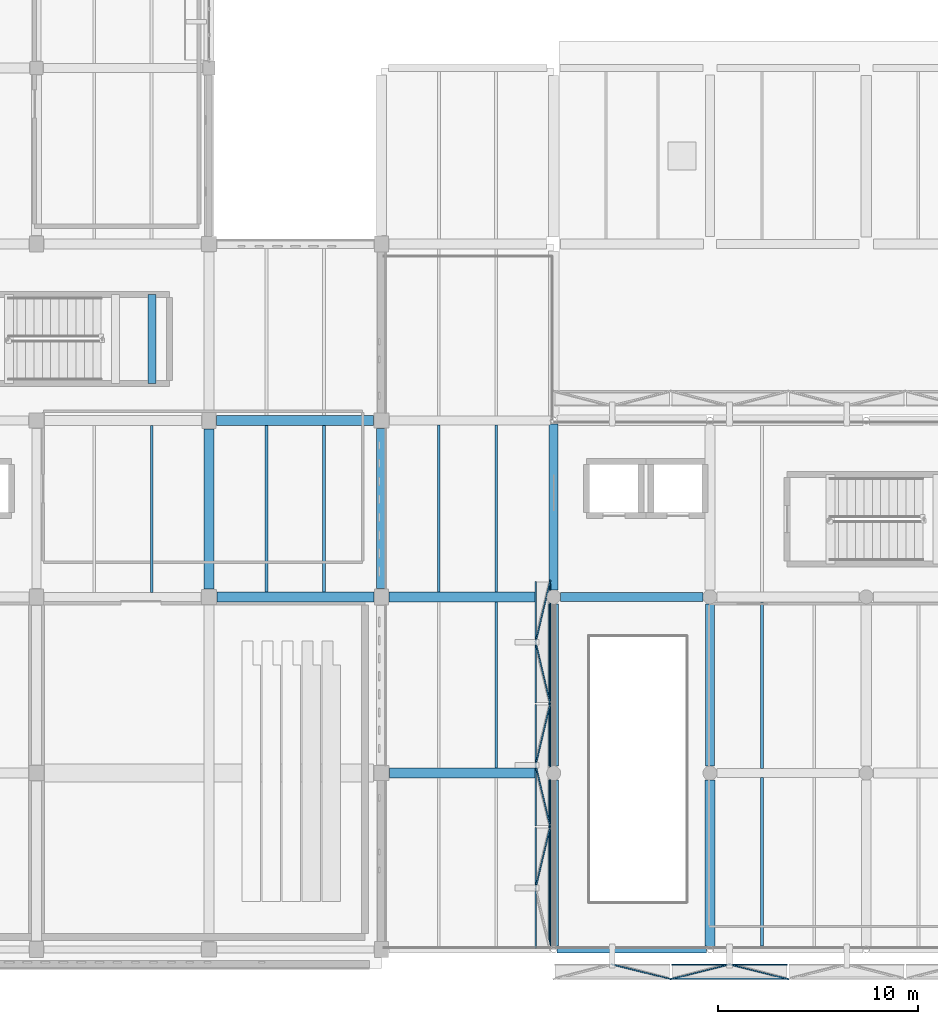
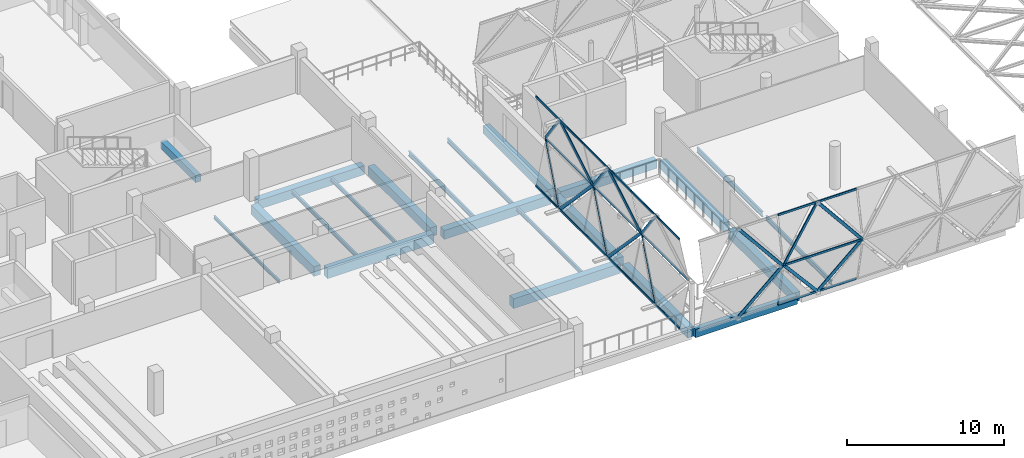
# One storey, part 8 of 93: 28 members, 22 beams, 5 elements without a shape of their own.
"""IFC4 building model written with IfcOpenShell, lengths in metres."""

from ifc_helpers import new_model, si_unit, direction, frame, origin, origin_2d, place, context, subcontext, project, spatial, rectangle, hollow_rectangle, i_section, extrude, material, material_profile, profile_set, type_object, element, aggregate, save


model = new_model("IFC4")

# Units and contexts
model_context = context("Model", 3, precision=1e-05, world=origin(), true_north=direction((0.0, 1.0)))
body_context = subcontext(model_context, "Body", "Model", "MODEL_VIEW")
ifc_project = project(units=[si_unit("LENGTHUNIT", "METRE"), si_unit("AREAUNIT", "SQUARE_METRE"), si_unit("VOLUMEUNIT", "CUBIC_METRE"), si_unit("PLANEANGLEUNIT", "RADIAN"), si_unit("MASSUNIT", "GRAM", prefix="KILO")], contexts=[model_context])

# Site, building, storey
site_placement = place(None, origin())
site = spatial("IfcSite", under=ifc_project, at=site_placement, CompositionType="ELEMENT")
building_placement = place(site_placement, origin())
building = spatial("IfcBuilding", under=site, at=building_placement, Name="Varnakota Cinema and Media Centre", CompositionType="ELEMENT")
storey_placement = place(building_placement, frame((0.0, 0.0, 12.0)))
storey = spatial("IfcBuildingStorey", under=building, at=storey_placement, Name="L03", CompositionType="ELEMENT", Elevation=12.0)

# Beams
ifc_material_1 = material(Name="Concrete M35", Category="concrete")
ifc_material_profile_1 = material_profile(ifc_material_1, rectangle(XDim=0.39990234375, YDim=0.550048828125, at=origin_2d()), Name="RCB 400x550")
ifc_profile_set_1 = profile_set([ifc_material_profile_1], Name="Concrete M35")
beam_type_1 = type_object("IfcBeamType", Name="BM-RC-400x550", PredefinedType="BEAM", material=ifc_profile_set_1)
beam_1_placement = place(storey_placement, frame((31.562744140625, 28.25, 1.324951171875), z_axis=(0.0, 1.0, 0.0), x_axis=(-1.0, 0.0, 0.0)))
element("IfcBeam", 1, at=beam_1_placement, inside=storey, type_object=beam_type_1, Name="L03 ST-02 landing support beam 2", PredefinedType="BEAM", context=body_context, shape_type="SweptSolid", body=[
    extrude(rectangle(XDim=0.39990234375, YDim=0.550048828125, at=origin_2d()), origin(), (0.0, 0.0, 1.0), 4.449951171875),
])
ifc_material_2 = material(Name="Concrete M35", Category="concrete")
ifc_material_profile_2 = material_profile(ifc_material_2, rectangle(XDim=0.449951171875, YDim=0.64990234375, at=origin_2d()), Name="RCB 450x650")
ifc_profile_set_2 = profile_set([ifc_material_profile_2], Name="Concrete M35")
beam_type_2 = type_object("IfcBeamType", Name="BM-RC-450x650", PredefinedType="BEAM", material=ifc_profile_set_2)
beam_2_placement = place(storey_placement, frame((51.949951171875, 17.60009765625, -0.5849609375), z_axis=(1.0, 0.0, 0.0), x_axis=(0.0, 1.0, 0.0)))
element("IfcBeam", 2, at=beam_2_placement, inside=storey, type_object=beam_type_2, Name="L03 girder G-H/3", PredefinedType="BEAM", context=body_context, shape_type="SweptSolid", body=[
    extrude(rectangle(XDim=0.449951171875, YDim=0.64990234375, at=origin_2d()), origin(), (0.0, 0.0, 1.0), 7.10009765625),
])
beam_3_placement = place(storey_placement, frame((51.60009765625, 17.949951171875, -0.5849609375), z_axis=(0.0, 1.0, 0.0), x_axis=(-1.0, 0.0, 0.0)))
element("IfcBeam", 3, at=beam_3_placement, inside=storey, type_object=beam_type_2, Name="L03 girder G/3-4", PredefinedType="BEAM", context=body_context, shape_type="SweptSolid", body=[
    extrude(rectangle(XDim=0.449951171875, YDim=0.64990234375, at=origin_2d()), origin(), (0.0, 0.0, 1.0), 8.2880859375),
])
beam_4_placement = place(storey_placement, frame((59.39990234375, 9.14990234375, -0.5849609375), z_axis=(0.0, 1.0, 0.0), x_axis=(-1.0, 0.0, 0.0)))
element("IfcBeam", 4, at=beam_4_placement, inside=storey, type_object=beam_type_2, Name="L03 girder H/2-3", PredefinedType="BEAM", context=body_context, shape_type="SweptSolid", body=[
    extrude(rectangle(XDim=0.449951171875, YDim=0.64990234375, at=origin_2d()), origin(), (0.0, 0.0, 1.0), 8.10009765625),
])
ifc_material_3 = material(Name="Concrete M35", Category="concrete")
ifc_material_profile_3 = material_profile(ifc_material_3, rectangle(XDim=0.5, YDim=0.699951171875, at=origin_2d()), Name="RCB 500x700")
ifc_profile_set_3 = profile_set([ifc_material_profile_3], Name="Concrete M35")
beam_type_3 = type_object("IfcBeamType", Name="BM-RC-500x700", PredefinedType="BEAM", material=ifc_profile_set_3)
beam_5_placement = place(storey_placement, frame((43.375, 17.60009765625, -0.610107421875), z_axis=(1.0, 0.0, 0.0), x_axis=(0.0, 1.0, 0.0)))
element("IfcBeam", 5, at=beam_5_placement, inside=storey, type_object=beam_type_3, Name="L03 girder F-G/3", PredefinedType="BEAM", context=body_context, shape_type="SweptSolid", body=[
    extrude(rectangle(XDim=0.5, YDim=0.699951171875, at=origin_2d()), origin(), (0.0, 0.0, 1.0), 7.875),
])
beam_6_placement = place(storey_placement, frame((34.77490234375, 26.39990234375, -0.610107421875), z_axis=(1.0, 0.0, 0.0), x_axis=(0.0, 1.0, 0.0)))
element("IfcBeam", 6, at=beam_6_placement, inside=storey, type_object=beam_type_3, Name="L03 girder E-F/4", PredefinedType="BEAM", context=body_context, shape_type="SweptSolid", body=[
    extrude(rectangle(XDim=0.5, YDim=0.699951171875, at=origin_2d()), origin(), (0.0, 0.0, 1.0), 7.8251953125),
])
beam_7_placement = place(storey_placement, frame((43.0, 18.02490234375, -0.610107421875), z_axis=(0.0, 1.0, 0.0), x_axis=(-1.0, 0.0, 0.0)))
element("IfcBeam", 7, at=beam_7_placement, inside=storey, type_object=beam_type_3, Name="L03 girder F/3-4", PredefinedType="BEAM", context=body_context, shape_type="SweptSolid", body=[
    extrude(rectangle(XDim=0.5, YDim=0.699951171875, at=origin_2d()), origin(), (0.0, 0.0, 1.0), 7.97509765625),
])
beam_8_placement = place(storey_placement, frame((51.60009765625, 9.14990234375, -0.610107421875), z_axis=(0.0, 1.0, 0.0), x_axis=(-1.0, 0.0, 0.0)))
element("IfcBeam", 8, at=beam_8_placement, inside=storey, type_object=beam_type_3, Name="L03 girder G/2-3", PredefinedType="BEAM", context=body_context, shape_type="SweptSolid", body=[
    extrude(rectangle(XDim=0.5, YDim=0.699951171875, at=origin_2d()), origin(), (0.0, 0.0, 1.0), 8.10009765625),
])
beam_9_placement = place(storey_placement, frame((59.39990234375, 0.162109375, -0.610107421875), z_axis=(0.0, 1.0, 0.0), x_axis=(-1.0, 0.0, 0.0)))
element("IfcBeam", 9, at=beam_9_placement, inside=storey, type_object=beam_type_3, Name="L03 girder H/1-2", PredefinedType="BEAM", context=body_context, shape_type="SweptSolid", body=[
    extrude(rectangle(XDim=0.5, YDim=0.699951171875, at=origin_2d()), origin(), (0.0, 0.0, 1.0), 8.287841796875),
])
ifc_material_4 = material(Name="Concrete M35", Category="concrete")
ifc_material_profile_4 = material_profile(ifc_material_4, rectangle(XDim=0.5, YDim=0.75, at=origin_2d()), Name="RCB 500x750")
ifc_profile_set_4 = profile_set([ifc_material_profile_4], Name="Concrete M35")
beam_type_4 = type_object("IfcBeamType", Name="BM-RC-500x750", PredefinedType="BEAM", material=ifc_profile_set_4)
beam_10_placement = place(storey_placement, frame((43.39990234375, 8.800048828125, -0.635009765625), z_axis=(1.0, 0.0, 0.0), x_axis=(0.0, 1.0, 0.0)))
element("IfcBeam", 10, at=beam_10_placement, inside=storey, type_object=beam_type_4, Name="L03 girder F-G/2", PredefinedType="BEAM", context=body_context, shape_type="SweptSolid", body=[
    extrude(rectangle(XDim=0.5, YDim=0.75, at=origin_2d()), origin(), (0.0, 0.0, 1.0), 7.85009765625),
])
beam_11_placement = place(storey_placement, frame((34.800048828125, 17.60009765625, -0.635009765625), z_axis=(1.0, 0.0, 0.0), x_axis=(0.0, 1.0, 0.0)))
element("IfcBeam", 11, at=beam_11_placement, inside=storey, type_object=beam_type_4, Name="L03 girder E-F/3", PredefinedType="BEAM", context=body_context, shape_type="SweptSolid", body=[
    extrude(rectangle(XDim=0.5, YDim=0.75, at=origin_2d()), origin(), (0.0, 0.0, 1.0), 7.824951171875),
])
beam_12_placement = place(storey_placement, frame((34.39990234375, 18.0, -0.635009765625), z_axis=(0.0, 1.0, 0.0), x_axis=(-1.0, 0.0, 0.0)))
element("IfcBeam", 12, at=beam_12_placement, inside=storey, type_object=beam_type_4, Name="L03 girder E/3-4", PredefinedType="BEAM", context=body_context, shape_type="SweptSolid", body=[
    extrude(rectangle(XDim=0.5, YDim=0.75, at=origin_2d()), origin(), (0.0, 0.0, 1.0), 7.97509765625),
])
beam_13_placement = place(storey_placement, frame((51.60009765625, 0.162109375, -0.635009765625), z_axis=(0.0, 1.0, 0.0), x_axis=(-1.0, 0.0, 0.0)))
element("IfcBeam", 13, at=beam_13_placement, inside=storey, type_object=beam_type_4, Name="L03 girder G/1-2", PredefinedType="BEAM", context=body_context, shape_type="SweptSolid", body=[
    extrude(rectangle(XDim=0.5, YDim=0.75, at=origin_2d()), origin(), (0.0, 0.0, 1.0), 8.287841796875),
])
ifc_material_5 = material(Name="Concrete M40", Category="concrete")
ifc_material_profile_5 = material_profile(ifc_material_5, rectangle(XDim=0.35009765625, YDim=0.64990234375, at=origin_2d()), Name="RCB 350x650")
ifc_profile_set_5 = profile_set([ifc_material_profile_5], Name="Concrete M40")
beam_type_5 = type_object("IfcBeamType", Name="BM-SP-350x650", PredefinedType="SPANDREL", material=ifc_profile_set_5)
beam_14_placement = place(storey_placement, frame((51.761962890625, 0.0, -0.5849609375), z_axis=(1.0, 0.0, 0.0), x_axis=(0.0, 1.0, 0.0)))
element("IfcBeam", 14, at=beam_14_placement, inside=storey, type_object=beam_type_5, Name="L03 girder G-H/1", PredefinedType="SPANDREL", context=body_context, shape_type="SweptSolid", body=[
    extrude(rectangle(XDim=0.35009765625, YDim=0.64990234375, at=origin_2d()), origin(), (0.0, 0.0, 1.0), 7.47607421875),
])
ifc_material_6 = material(Name="Structural steel Grade 350 (E350)", Category="steel")
ifc_material_profile_6 = material_profile(ifc_material_6, i_section(OverallWidth=0.125, OverallDepth=0.25, WebThickness=0.0068359375, FlangeThickness=0.012451171875, FilletRadius=0.012939453125, at=origin_2d()), Name="ISMB 250")
ifc_profile_set_6 = profile_set([ifc_material_profile_6], Name="Structural steel Grade 350 (E350)")
beam_type_6 = type_object("IfcBeamType", Name="BM-ST-ISMB250", PredefinedType="JOIST", material=ifc_profile_set_6)
beam_15_placement = place(storey_placement, frame((31.533203125, 17.824951171875, -0.385009765625), z_axis=(0.0, 1.0, 0.0), x_axis=(-1.0, 0.0, 0.0)))
element("IfcBeam", 15, at=beam_15_placement, inside=storey, type_object=beam_type_6, Name="L03 steel joist D-E/3-4 #2", PredefinedType="JOIST", context=body_context, shape_type="SweptSolid", body=[
    extrude(i_section(OverallWidth=0.125, OverallDepth=0.25, WebThickness=0.0068359375, FlangeThickness=0.012451171875, FilletRadius=0.012939453125, at=origin_2d()), origin(), (0.0, 0.0, 1.0), 8.324951171875),
])
ifc_material_7 = material(Name="Structural steel Grade 350 (E350)", Category="steel")
ifc_material_profile_7 = material_profile(ifc_material_7, i_section(OverallWidth=0.139892578125, OverallDepth=0.300048828125, WebThickness=0.0078125, FlangeThickness=0.01318359375, FilletRadius=0.013916015625, at=origin_2d()), Name="ISMB 300")
ifc_profile_set_7 = profile_set([ifc_material_profile_7], Name="Structural steel Grade 350 (E350)")
beam_type_7 = type_object("IfcBeamType", Name="BM-ST-ISMB300", PredefinedType="JOIST", material=ifc_profile_set_7)
for number, where, z_axis, x_axis, name in (
    (16, (37.2666015625, 17.85009765625, -0.409912109375), (0.0, 1.0, 0.0), (-1.0, 0.0, 0.0), "L03 steel joist E-F/3-4 #1"),
    (17, (40.13330078125, 17.85009765625, -0.409912109375), (0.0, 1.0, 0.0), (-1.0, 0.0, 0.0), "L03 steel joist E-F/3-4 #2"),
):
    element("IfcBeam", number, at=place(storey_placement, frame(where, z_axis=z_axis, x_axis=x_axis)), inside=storey, type_object=beam_type_7, Name=name, PredefinedType="JOIST", context=body_context, shape_type="SweptSolid", body=[
        extrude(i_section(OverallWidth=0.139892578125, OverallDepth=0.300048828125, WebThickness=0.0078125, FlangeThickness=0.01318359375, FilletRadius=0.013916015625, at=origin_2d()), origin(), (0.0, 0.0, 1.0), 8.2998046875),
    ])
beam_16_placement = place(storey_placement, frame((48.7333984375, 9.050048828125, -0.409912109375), z_axis=(0.0, 1.0, 0.0), x_axis=(-1.0, 0.0, 0.0)))
element("IfcBeam", 18, at=beam_16_placement, inside=storey, type_object=beam_type_7, Name="L03 steel joist F-G/2-3 #2", PredefinedType="JOIST", context=body_context, shape_type="SweptSolid", body=[
    extrude(i_section(OverallWidth=0.139892578125, OverallDepth=0.300048828125, WebThickness=0.0078125, FlangeThickness=0.01318359375, FilletRadius=0.013916015625, at=origin_2d()), origin(), (0.0, 0.0, 1.0), 8.300048828125),
])
ifc_material_8 = material(Name="Structural steel Grade 350 (E350)", Category="steel")
ifc_material_profile_8 = material_profile(ifc_material_8, i_section(OverallWidth=0.139892578125, OverallDepth=0.35009765625, WebThickness=0.008056640625, FlangeThickness=0.01416015625, FilletRadius=0.013916015625, at=origin_2d()), Name="ISMB 350")
ifc_profile_set_8 = profile_set([ifc_material_profile_8], Name="Structural steel Grade 350 (E350)")
beam_type_8 = type_object("IfcBeamType", Name="BM-ST-ISMB350", PredefinedType="JOIST", material=ifc_profile_set_8)
for number, where, z_axis, x_axis, name in (
    (19, (45.86669921875, 17.85009765625, -0.43505859375), (0.0, 1.0, 0.0), (-1.0, 0.0, 0.0), "L03 steel joist F-G/3-4 #1"),
    (20, (48.7333984375, 17.85009765625, -0.43505859375), (0.0, 1.0, 0.0), (-1.0, 0.0, 0.0), "L03 steel joist F-G/3-4 #2"),
):
    element("IfcBeam", number, at=place(storey_placement, frame(where, z_axis=z_axis, x_axis=x_axis)), inside=storey, type_object=beam_type_8, Name=name, PredefinedType="JOIST", context=body_context, shape_type="SweptSolid", body=[
        extrude(i_section(OverallWidth=0.139892578125, OverallDepth=0.35009765625, WebThickness=0.008056640625, FlangeThickness=0.01416015625, FilletRadius=0.013916015625, at=origin_2d()), origin(), (0.0, 0.0, 1.0), 8.324951171875),
    ])
beam_17_placement = place(storey_placement, frame((62.0, 0.175048828125, -0.43505859375), z_axis=(0.0, 1.0, 0.0), x_axis=(-1.0, 0.0, 0.0)))
element("IfcBeam", 21, at=beam_17_placement, inside=storey, type_object=beam_type_8, Name="L03 steel joist H-J/1-2 #1", PredefinedType="JOIST", context=body_context, shape_type="SweptSolid", body=[
    extrude(i_section(OverallWidth=0.139892578125, OverallDepth=0.35009765625, WebThickness=0.008056640625, FlangeThickness=0.01416015625, FilletRadius=0.013916015625, at=origin_2d()), origin(), (0.0, 0.0, 1.0), 8.39990234375),
])
ifc_material_9 = material(Name="Structural steel Grade 350 (E350)", Category="steel")
ifc_material_profile_9 = material_profile(ifc_material_9, i_section(OverallWidth=0.139892578125, OverallDepth=0.39990234375, WebThickness=0.0087890625, FlangeThickness=0.01611328125, FilletRadius=0.013916015625, at=origin_2d()), Name="ISMB 400")
ifc_profile_set_9 = profile_set([ifc_material_profile_9], Name="Structural steel Grade 350 (E350)")
beam_type_9 = type_object("IfcBeamType", Name="BM-ST-ISMB400", PredefinedType="JOIST", material=ifc_profile_set_9)
beam_18_placement = place(storey_placement, frame((62.0, 9.02490234375, -0.4599609375), z_axis=(0.0, 1.0, 0.0), x_axis=(-1.0, 0.0, 0.0)))
element("IfcBeam", 22, at=beam_18_placement, inside=storey, type_object=beam_type_9, Name="L03 steel joist H-J/2-3 #1", PredefinedType="JOIST", context=body_context, shape_type="SweptSolid", body=[
    extrude(i_section(OverallWidth=0.139892578125, OverallDepth=0.39990234375, WebThickness=0.0087890625, FlangeThickness=0.01611328125, FilletRadius=0.013916015625, at=origin_2d()), origin(), (0.0, 0.0, 1.0), 8.3251953125),
])

# Curtain wall, members
ifc_material_10 = material(Name="Anodised golden-bronze aluminium AW-6063", Category="aluminium")
curtain_wall_type_1 = type_object("IfcCurtainWallType", Name="CW-DMD-585x705", PredefinedType="USERDEFINED", material=ifc_material_10)
curtain_wall_1_placement = place(storey_placement, origin())
curtain_wall_1 = element("IfcCurtainWall", 23, at=curtain_wall_1_placement, inside=storey, type_object=curtain_wall_type_1, Name="L03 folded diamond foyer curtain wall CW-V6DMD-S-T2-D03", ObjectType="DIAMOND FOLDED CURTAIN WALL", PredefinedType="USERDEFINED")
ifc_material_11 = material(Name="Anodised golden-bronze aluminium AW-6063", Category="aluminium")
ifc_material_profile_10 = material_profile(ifc_material_11, hollow_rectangle(XDim=0.074951171875, YDim=0.219970703125, WallThickness=0.0048828125, InnerFilletRadius=0.0048828125, OuterFilletRadius=0.010009765625, at=origin_2d()), Name="AL-MULLION 220x75x5")
ifc_profile_set_10 = profile_set([ifc_material_profile_10], Name="Anodised golden-bronze aluminium AW-6063")
member_type_1 = type_object("IfcMemberType", Name="CWM-GOLD-220", PredefinedType="MULLION", material=ifc_profile_set_10)
member_1_placement = place(storey_placement, frame((60.375, -0.75, 0.050048828125), z_axis=(0.630878157288, -0.156851995101, 0.759861962654), x_axis=(0.241279412338, 0.970455689448, 0.0)))
member_1 = element("IfcMember", 24, at=member_1_placement, type_object=member_type_1, Name="CW-V6DMD-S-T2-D03 folded diamond mullion 1", PredefinedType="MULLION", context=body_context, shape_type="SweptSolid", body=[
    extrude(hollow_rectangle(XDim=0.074951171875, YDim=0.219970703125, WallThickness=0.0048828125, InnerFilletRadius=0.0048828125, OuterFilletRadius=0.010009765625, at=origin_2d()), origin(), (0.0, 0.0, 1.0), 4.572998046875),
])
member_2_placement = place(storey_placement, frame((60.375, -0.75, 0.050048828125), z_axis=(-0.630878157288, -0.156851995101, 0.759861962654), x_axis=(0.241279412338, -0.970455689448, 0.0)))
member_2 = element("IfcMember", 25, at=member_2_placement, type_object=member_type_1, Name="CW-V6DMD-S-T2-D03 folded diamond mullion 2", PredefinedType="MULLION", context=body_context, shape_type="SweptSolid", body=[
    extrude(hollow_rectangle(XDim=0.074951171875, YDim=0.219970703125, WallThickness=0.0048828125, InnerFilletRadius=0.0048828125, OuterFilletRadius=0.010009765625, at=origin_2d()), origin(), (0.0, 0.0, 1.0), 4.572998046875),
])
member_3_placement = place(storey_placement, frame((63.260009765625, -1.46728515625, 3.52490234375), z_axis=(-0.630852565109, 0.156845632249, 0.759884523293), x_axis=(-0.241279412338, -0.970455689448, 0.0)))
member_3 = element("IfcMember", 26, at=member_3_placement, type_object=member_type_1, Name="CW-V6DMD-S-T2-D03 folded diamond mullion 3", PredefinedType="MULLION", context=body_context, shape_type="SweptSolid", body=[
    extrude(hollow_rectangle(XDim=0.074951171875, YDim=0.219970703125, WallThickness=0.0048828125, InnerFilletRadius=0.0048828125, OuterFilletRadius=0.010009765625, at=origin_2d()), origin(), (0.0, 0.0, 1.0), 4.5732421875),
])
member_4_placement = place(storey_placement, frame((57.489990234375, -1.46728515625, 3.52490234375), z_axis=(0.630852565109, 0.156845632249, 0.759884523293), x_axis=(-0.241279412338, 0.970455689448, 0.0)))
member_4 = element("IfcMember", 27, at=member_4_placement, type_object=member_type_1, Name="CW-V6DMD-S-T2-D03 folded diamond mullion 4", PredefinedType="MULLION", context=body_context, shape_type="SweptSolid", body=[
    extrude(hollow_rectangle(XDim=0.074951171875, YDim=0.219970703125, WallThickness=0.0048828125, InnerFilletRadius=0.0048828125, OuterFilletRadius=0.010009765625, at=origin_2d()), origin(), (0.0, 0.0, 1.0), 4.5732421875),
])

curtain_wall_2_placement = place(storey_placement, origin())
curtain_wall_2 = element("IfcCurtainWall", 28, at=curtain_wall_2_placement, inside=storey, type_object=curtain_wall_type_1, Name="L03 folded diamond foyer curtain wall CW-V6DMD-S-T2-D04", ObjectType="DIAMOND FOLDED CURTAIN WALL", PredefinedType="USERDEFINED")
member_5_placement = place(storey_placement, frame((54.52490234375, -0.75, 0.050048828125), z_axis=(0.630878157288, -0.156851995101, 0.759861962654), x_axis=(0.241279412338, 0.970455689448, 0.0)))
member_5 = element("IfcMember", 29, at=member_5_placement, type_object=member_type_1, Name="CW-V6DMD-S-T2-D04 folded diamond mullion 1", PredefinedType="MULLION", context=body_context, shape_type="SweptSolid", body=[
    extrude(hollow_rectangle(XDim=0.074951171875, YDim=0.219970703125, WallThickness=0.0048828125, InnerFilletRadius=0.0048828125, OuterFilletRadius=0.010009765625, at=origin_2d()), origin(), (0.0, 0.0, 1.0), 4.572998046875),
])
member_6_placement = place(storey_placement, frame((57.409912109375, -1.46728515625, 3.52490234375), z_axis=(-0.630852565109, 0.156845632249, 0.759884523293), x_axis=(-0.241279412338, -0.970455689448, 0.0)))
member_6 = element("IfcMember", 30, at=member_6_placement, type_object=member_type_1, Name="CW-V6DMD-S-T2-D04 folded diamond mullion 3", PredefinedType="MULLION", context=body_context, shape_type="SweptSolid", body=[
    extrude(hollow_rectangle(XDim=0.074951171875, YDim=0.219970703125, WallThickness=0.0048828125, InnerFilletRadius=0.0048828125, OuterFilletRadius=0.010009765625, at=origin_2d()), origin(), (0.0, 0.0, 1.0), 4.5732421875),
])
aggregate(curtain_wall_2, [member_5, member_6])

ifc_material_12 = material(Name="Anodised golden-bronze aluminium AW-6063", Category="aluminium")
curtain_wall_type_2 = type_object("IfcCurtainWallType", Name="CW-DMD-613x705", PredefinedType="USERDEFINED", material=ifc_material_12)
curtain_wall_3_placement = place(storey_placement, origin())
curtain_wall_3 = element("IfcCurtainWall", 31, at=curtain_wall_3_placement, inside=storey, type_object=curtain_wall_type_2, Name="L03 folded diamond foyer curtain wall CW-V6DMD-W-T2-D01", ObjectType="DIAMOND FOLDED CURTAIN WALL", PredefinedType="USERDEFINED")
member_7_placement = place(storey_placement, frame((50.699951171875, 15.333251953125, 0.050048828125), z_axis=(0.153798690882, 0.649011630211, 0.745070376899), x_axis=(-0.973051562307, 0.2305876343, 0.0)))
member_7 = element("IfcMember", 32, at=member_7_placement, type_object=member_type_1, Name="CW-V6DMD-W-T2-D01 folded diamond mullion 1", PredefinedType="MULLION", context=body_context, shape_type="SweptSolid", body=[
    extrude(hollow_rectangle(XDim=0.074951171875, YDim=0.219970703125, WallThickness=0.0048828125, InnerFilletRadius=0.0048828125, OuterFilletRadius=0.010009765625, at=origin_2d()), origin(), (0.0, 0.0, 1.0), 4.663818359375),
])
member_8_placement = place(storey_placement, frame((50.699951171875, 15.333251953125, 0.050048828125), z_axis=(0.153803916175, -0.648981330435, 0.745095690577), x_axis=(0.973047388753, 0.230605245475, 0.0)))
member_8 = element("IfcMember", 33, at=member_8_placement, type_object=member_type_1, Name="CW-V6DMD-W-T2-D01 folded diamond mullion 2", PredefinedType="MULLION", context=body_context, shape_type="SweptSolid", body=[
    extrude(hollow_rectangle(XDim=0.074951171875, YDim=0.219970703125, WallThickness=0.0048828125, InnerFilletRadius=0.0048828125, OuterFilletRadius=0.010009765625, at=origin_2d()), origin(), (0.0, 0.0, 1.0), 4.66357421875),
])
member_9_placement = place(storey_placement, frame((51.417236328125, 18.360107421875, 3.52490234375), z_axis=(-0.153792692411, -0.648986317395, 0.745093663639), x_axis=(0.973051562307, -0.2305876343, 0.0)))
member_9 = element("IfcMember", 34, at=member_9_placement, type_object=member_type_1, Name="CW-V6DMD-W-T2-D01 folded diamond mullion 3", PredefinedType="MULLION", context=body_context, shape_type="SweptSolid", body=[
    extrude(hollow_rectangle(XDim=0.074951171875, YDim=0.219970703125, WallThickness=0.0048828125, InnerFilletRadius=0.0048828125, OuterFilletRadius=0.010009765625, at=origin_2d()), origin(), (0.0, 0.0, 1.0), 4.6640625),
])
member_10_placement = place(storey_placement, frame((51.417236328125, 12.306640625, 3.52490234375), z_axis=(-0.153797917091, 0.64895601708, 0.745118976133), x_axis=(-0.973047388753, -0.230605245475, 0.0)))
member_10 = element("IfcMember", 35, at=member_10_placement, type_object=member_type_1, Name="CW-V6DMD-W-T2-D01 folded diamond mullion 4", PredefinedType="MULLION", context=body_context, shape_type="SweptSolid", body=[
    extrude(hollow_rectangle(XDim=0.074951171875, YDim=0.219970703125, WallThickness=0.0048828125, InnerFilletRadius=0.0048828125, OuterFilletRadius=0.010009765625, at=origin_2d()), origin(), (0.0, 0.0, 1.0), 4.663818359375),
])

curtain_wall_4_placement = place(storey_placement, origin())
curtain_wall_4 = element("IfcCurtainWall", 36, at=curtain_wall_4_placement, inside=storey, type_object=curtain_wall_type_2, Name="L03 folded diamond foyer curtain wall CW-V6DMD-W-T2-D02", ObjectType="DIAMOND FOLDED CURTAIN WALL", PredefinedType="USERDEFINED")
member_11_placement = place(storey_placement, frame((50.699951171875, 9.199951171875, 0.050048828125), z_axis=(0.153803916175, 0.648981330435, 0.745095690577), x_axis=(-0.973047388753, 0.230605245475, 0.0)))
member_11 = element("IfcMember", 37, at=member_11_placement, type_object=member_type_1, Name="CW-V6DMD-W-T2-D02 folded diamond mullion 1", PredefinedType="MULLION", context=body_context, shape_type="SweptSolid", body=[
    extrude(hollow_rectangle(XDim=0.074951171875, YDim=0.219970703125, WallThickness=0.0048828125, InnerFilletRadius=0.0048828125, OuterFilletRadius=0.010009765625, at=origin_2d()), origin(), (0.0, 0.0, 1.0), 4.66357421875),
])
member_12_placement = place(storey_placement, frame((50.699951171875, 9.199951171875, 0.050048828125), z_axis=(0.153803916175, -0.648981330435, 0.745095690577), x_axis=(0.973047388753, 0.230605245475, 0.0)))
member_12 = element("IfcMember", 38, at=member_12_placement, type_object=member_type_1, Name="CW-V6DMD-W-T2-D02 folded diamond mullion 2", PredefinedType="MULLION", context=body_context, shape_type="SweptSolid", body=[
    extrude(hollow_rectangle(XDim=0.074951171875, YDim=0.219970703125, WallThickness=0.0048828125, InnerFilletRadius=0.0048828125, OuterFilletRadius=0.010009765625, at=origin_2d()), origin(), (0.0, 0.0, 1.0), 4.66357421875),
])
member_13_placement = place(storey_placement, frame((51.417236328125, 12.2265625, 3.52490234375), z_axis=(-0.153797917091, -0.64895601708, 0.745118976133), x_axis=(0.973047388753, -0.230605245475, 0.0)))
member_13 = element("IfcMember", 39, at=member_13_placement, type_object=member_type_1, Name="CW-V6DMD-W-T2-D02 folded diamond mullion 3", PredefinedType="MULLION", context=body_context, shape_type="SweptSolid", body=[
    extrude(hollow_rectangle(XDim=0.074951171875, YDim=0.219970703125, WallThickness=0.0048828125, InnerFilletRadius=0.0048828125, OuterFilletRadius=0.010009765625, at=origin_2d()), origin(), (0.0, 0.0, 1.0), 4.663818359375),
])
member_14_placement = place(storey_placement, frame((51.417236328125, 6.17333984375, 3.52490234375), z_axis=(-0.153797917091, 0.64895601708, 0.745118976133), x_axis=(-0.973047388753, -0.230605245475, 0.0)))
member_14 = element("IfcMember", 40, at=member_14_placement, type_object=member_type_1, Name="CW-V6DMD-W-T2-D02 folded diamond mullion 4", PredefinedType="MULLION", context=body_context, shape_type="SweptSolid", body=[
    extrude(hollow_rectangle(XDim=0.074951171875, YDim=0.219970703125, WallThickness=0.0048828125, InnerFilletRadius=0.0048828125, OuterFilletRadius=0.010009765625, at=origin_2d()), origin(), (0.0, 0.0, 1.0), 4.663818359375),
])

curtain_wall_5_placement = place(storey_placement, origin())
curtain_wall_5 = element("IfcCurtainWall", 41, at=curtain_wall_5_placement, inside=storey, type_object=curtain_wall_type_2, Name="L03 folded diamond foyer curtain wall CW-V6DMD-W-T2-D03", ObjectType="DIAMOND FOLDED CURTAIN WALL", PredefinedType="USERDEFINED")
member_15_placement = place(storey_placement, frame((50.699951171875, 3.066650390625, 0.050048828125), z_axis=(0.153803916175, 0.648981330435, 0.745095690577), x_axis=(-0.973047388753, 0.230605245475, 0.0)))
member_15 = element("IfcMember", 42, at=member_15_placement, type_object=member_type_1, Name="CW-V6DMD-W-T2-D03 folded diamond mullion 1", PredefinedType="MULLION", context=body_context, shape_type="SweptSolid", body=[
    extrude(hollow_rectangle(XDim=0.074951171875, YDim=0.219970703125, WallThickness=0.0048828125, InnerFilletRadius=0.0048828125, OuterFilletRadius=0.010009765625, at=origin_2d()), origin(), (0.0, 0.0, 1.0), 4.66357421875),
])
member_16_placement = place(storey_placement, frame((51.417236328125, 6.09326171875, 3.52490234375), z_axis=(-0.153797917091, -0.64895601708, 0.745118976133), x_axis=(0.973047388753, -0.230605245475, 0.0)))
member_16 = element("IfcMember", 43, at=member_16_placement, type_object=member_type_1, Name="CW-V6DMD-W-T2-D03 folded diamond mullion 3", PredefinedType="MULLION", context=body_context, shape_type="SweptSolid", body=[
    extrude(hollow_rectangle(XDim=0.074951171875, YDim=0.219970703125, WallThickness=0.0048828125, InnerFilletRadius=0.0048828125, OuterFilletRadius=0.010009765625, at=origin_2d()), origin(), (0.0, 0.0, 1.0), 4.663818359375),
])

# Member
ifc_material_13 = material(Name="Anodised golden-bronze aluminium AW-6063", Category="aluminium")
ifc_material_profile_11 = material_profile(ifc_material_13, hollow_rectangle(XDim=0.074951171875, YDim=0.159912109375, WallThickness=0.00390625, InnerFilletRadius=0.00390625, OuterFilletRadius=0.008056640625, at=origin_2d()), Name="AL-TRANSOM 160x75x4")
ifc_profile_set_11 = profile_set([ifc_material_profile_11], Name="Anodised golden-bronze aluminium AW-6063")
member_type_2 = type_object("IfcMemberType", Name="CWT-GOLD-160", PredefinedType="USERDEFINED", material=ifc_profile_set_11)
member_17_placement = place(storey_placement, frame((63.260009765625, -0.75, 0.050048828125), z_axis=(-1.0, 0.0, 0.0), x_axis=(0.0, -1.0, 0.0)))
member_17 = element("IfcMember", 44, at=member_17_placement, type_object=member_type_2, Name="CW-V6DMD-S-T2-D03 folded diamond transom 1", ObjectType="TRANSOM", PredefinedType="USERDEFINED", context=body_context, shape_type="SweptSolid", body=[
    extrude(hollow_rectangle(XDim=0.074951171875, YDim=0.159912109375, WallThickness=0.00390625, InnerFilletRadius=0.00390625, OuterFilletRadius=0.008056640625, at=origin_2d()), origin(), (0.0, 0.0, 1.0), 5.77001953125),
])

member_18_placement = place(storey_placement, frame((63.159912109375, -1.46728515625, 3.52490234375), z_axis=(-1.0, 0.0, 0.0), x_axis=(0.0, -1.0, 0.0)))
member_18 = element("IfcMember", 45, at=member_18_placement, type_object=member_type_2, Name="CW-V6DMD-S-T2-D03 folded diamond transom 2", ObjectType="TRANSOM", PredefinedType="USERDEFINED", context=body_context, shape_type="SweptSolid", body=[
    extrude(hollow_rectangle(XDim=0.074951171875, YDim=0.159912109375, WallThickness=0.00390625, InnerFilletRadius=0.00390625, OuterFilletRadius=0.008056640625, at=origin_2d()), origin(), (0.0, 0.0, 1.0), 5.56982421875),
])

member_19_placement = place(storey_placement, frame((63.260009765625, -0.75, 7.0), z_axis=(-1.0, 0.0, 0.0), x_axis=(0.0, -1.0, 0.0)))
member_19 = element("IfcMember", 46, at=member_19_placement, type_object=member_type_2, Name="CW-V6DMD-S-T2-D03 folded diamond transom 3", ObjectType="TRANSOM", PredefinedType="USERDEFINED", context=body_context, shape_type="SweptSolid", body=[
    extrude(hollow_rectangle(XDim=0.074951171875, YDim=0.159912109375, WallThickness=0.00390625, InnerFilletRadius=0.00390625, OuterFilletRadius=0.008056640625, at=origin_2d()), origin(), (0.0, 0.0, 1.0), 5.77001953125),
])

aggregate(curtain_wall_1, [member_1, member_2, member_3, member_4, member_17, member_18, member_19])

member_20_placement = place(storey_placement, frame((50.699951171875, 18.360107421875, 0.050048828125), z_axis=(0.0, -1.0, 0.0), x_axis=(1.0, 0.0, 0.0)))
member_20 = element("IfcMember", 47, at=member_20_placement, type_object=member_type_2, Name="CW-V6DMD-W-T2-D01 folded diamond transom 1", ObjectType="TRANSOM", PredefinedType="USERDEFINED", context=body_context, shape_type="SweptSolid", body=[
    extrude(hollow_rectangle(XDim=0.074951171875, YDim=0.159912109375, WallThickness=0.00390625, InnerFilletRadius=0.00390625, OuterFilletRadius=0.008056640625, at=origin_2d()), origin(), (0.0, 0.0, 1.0), 6.053466796875),
])

member_21_placement = place(storey_placement, frame((51.417236328125, 18.260009765625, 3.52490234375), z_axis=(0.0, -1.0, 0.0), x_axis=(1.0, 0.0, 0.0)))
member_21 = element("IfcMember", 48, at=member_21_placement, type_object=member_type_2, Name="CW-V6DMD-W-T2-D01 folded diamond transom 2", ObjectType="TRANSOM", PredefinedType="USERDEFINED", context=body_context, shape_type="SweptSolid", body=[
    extrude(hollow_rectangle(XDim=0.074951171875, YDim=0.159912109375, WallThickness=0.00390625, InnerFilletRadius=0.00390625, OuterFilletRadius=0.008056640625, at=origin_2d()), origin(), (0.0, 0.0, 1.0), 5.853271484375),
])

member_22_placement = place(storey_placement, frame((50.699951171875, 18.360107421875, 7.0), z_axis=(0.0, -1.0, 0.0), x_axis=(1.0, 0.0, 0.0)))
member_22 = element("IfcMember", 49, at=member_22_placement, type_object=member_type_2, Name="CW-V6DMD-W-T2-D01 folded diamond transom 3", ObjectType="TRANSOM", PredefinedType="USERDEFINED", context=body_context, shape_type="SweptSolid", body=[
    extrude(hollow_rectangle(XDim=0.074951171875, YDim=0.159912109375, WallThickness=0.00390625, InnerFilletRadius=0.00390625, OuterFilletRadius=0.008056640625, at=origin_2d()), origin(), (0.0, 0.0, 1.0), 6.053466796875),
])

aggregate(curtain_wall_3, [member_7, member_8, member_9, member_10, member_20, member_21, member_22])

member_23_placement = place(storey_placement, frame((50.699951171875, 12.2265625, 0.050048828125), z_axis=(0.0, -1.0, 0.0), x_axis=(1.0, 0.0, 0.0)))
member_23 = element("IfcMember", 50, at=member_23_placement, type_object=member_type_2, Name="CW-V6DMD-W-T2-D02 folded diamond transom 1", ObjectType="TRANSOM", PredefinedType="USERDEFINED", context=body_context, shape_type="SweptSolid", body=[
    extrude(hollow_rectangle(XDim=0.074951171875, YDim=0.159912109375, WallThickness=0.00390625, InnerFilletRadius=0.00390625, OuterFilletRadius=0.008056640625, at=origin_2d()), origin(), (0.0, 0.0, 1.0), 6.05322265625),
])

member_24_placement = place(storey_placement, frame((51.417236328125, 12.126708984375, 3.52490234375), z_axis=(0.0, -1.0, 0.0), x_axis=(1.0, 0.0, 0.0)))
member_24 = element("IfcMember", 51, at=member_24_placement, type_object=member_type_2, Name="CW-V6DMD-W-T2-D02 folded diamond transom 2", ObjectType="TRANSOM", PredefinedType="USERDEFINED", context=body_context, shape_type="SweptSolid", body=[
    extrude(hollow_rectangle(XDim=0.074951171875, YDim=0.159912109375, WallThickness=0.00390625, InnerFilletRadius=0.00390625, OuterFilletRadius=0.008056640625, at=origin_2d()), origin(), (0.0, 0.0, 1.0), 5.853271484375),
])

member_25_placement = place(storey_placement, frame((50.699951171875, 12.2265625, 7.0), z_axis=(0.0, -1.0, 0.0), x_axis=(1.0, 0.0, 0.0)))
member_25 = element("IfcMember", 52, at=member_25_placement, type_object=member_type_2, Name="CW-V6DMD-W-T2-D02 folded diamond transom 3", ObjectType="TRANSOM", PredefinedType="USERDEFINED", context=body_context, shape_type="SweptSolid", body=[
    extrude(hollow_rectangle(XDim=0.074951171875, YDim=0.159912109375, WallThickness=0.00390625, InnerFilletRadius=0.00390625, OuterFilletRadius=0.008056640625, at=origin_2d()), origin(), (0.0, 0.0, 1.0), 6.05322265625),
])

aggregate(curtain_wall_4, [member_11, member_12, member_13, member_14, member_23, member_24, member_25])

member_26_placement = place(storey_placement, frame((50.699951171875, 6.09326171875, 0.050048828125), z_axis=(0.0, -1.0, 0.0), x_axis=(1.0, 0.0, 0.0)))
member_26 = element("IfcMember", 53, at=member_26_placement, type_object=member_type_2, Name="CW-V6DMD-W-T2-D03 folded diamond transom 1", ObjectType="TRANSOM", PredefinedType="USERDEFINED", context=body_context, shape_type="SweptSolid", body=[
    extrude(hollow_rectangle(XDim=0.074951171875, YDim=0.159912109375, WallThickness=0.00390625, InnerFilletRadius=0.00390625, OuterFilletRadius=0.008056640625, at=origin_2d()), origin(), (0.0, 0.0, 1.0), 6.05322265625),
])

member_27_placement = place(storey_placement, frame((51.417236328125, 5.993408203125, 3.52490234375), z_axis=(0.0, -1.0, 0.0), x_axis=(1.0, 0.0, 0.0)))
member_27 = element("IfcMember", 54, at=member_27_placement, type_object=member_type_2, Name="CW-V6DMD-W-T2-D03 folded diamond transom 2", ObjectType="TRANSOM", PredefinedType="USERDEFINED", context=body_context, shape_type="SweptSolid", body=[
    extrude(hollow_rectangle(XDim=0.074951171875, YDim=0.159912109375, WallThickness=0.00390625, InnerFilletRadius=0.00390625, OuterFilletRadius=0.008056640625, at=origin_2d()), origin(), (0.0, 0.0, 1.0), 5.853515625),
])

member_28_placement = place(storey_placement, frame((50.699951171875, 6.09326171875, 7.0), z_axis=(0.0, -1.0, 0.0), x_axis=(1.0, 0.0, 0.0)))
member_28 = element("IfcMember", 55, at=member_28_placement, type_object=member_type_2, Name="CW-V6DMD-W-T2-D03 folded diamond transom 3", ObjectType="TRANSOM", PredefinedType="USERDEFINED", context=body_context, shape_type="SweptSolid", body=[
    extrude(hollow_rectangle(XDim=0.074951171875, YDim=0.159912109375, WallThickness=0.00390625, InnerFilletRadius=0.00390625, OuterFilletRadius=0.008056640625, at=origin_2d()), origin(), (0.0, 0.0, 1.0), 6.05322265625),
])

aggregate(curtain_wall_5, [member_15, member_16, member_26, member_27, member_28])

save(model, "model.ifc")
